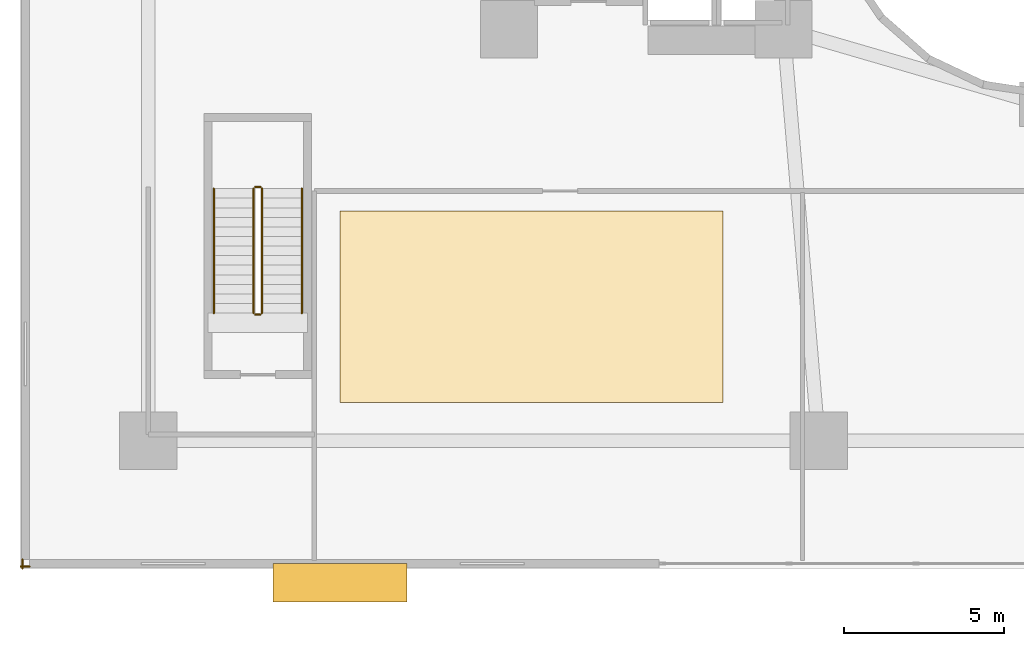
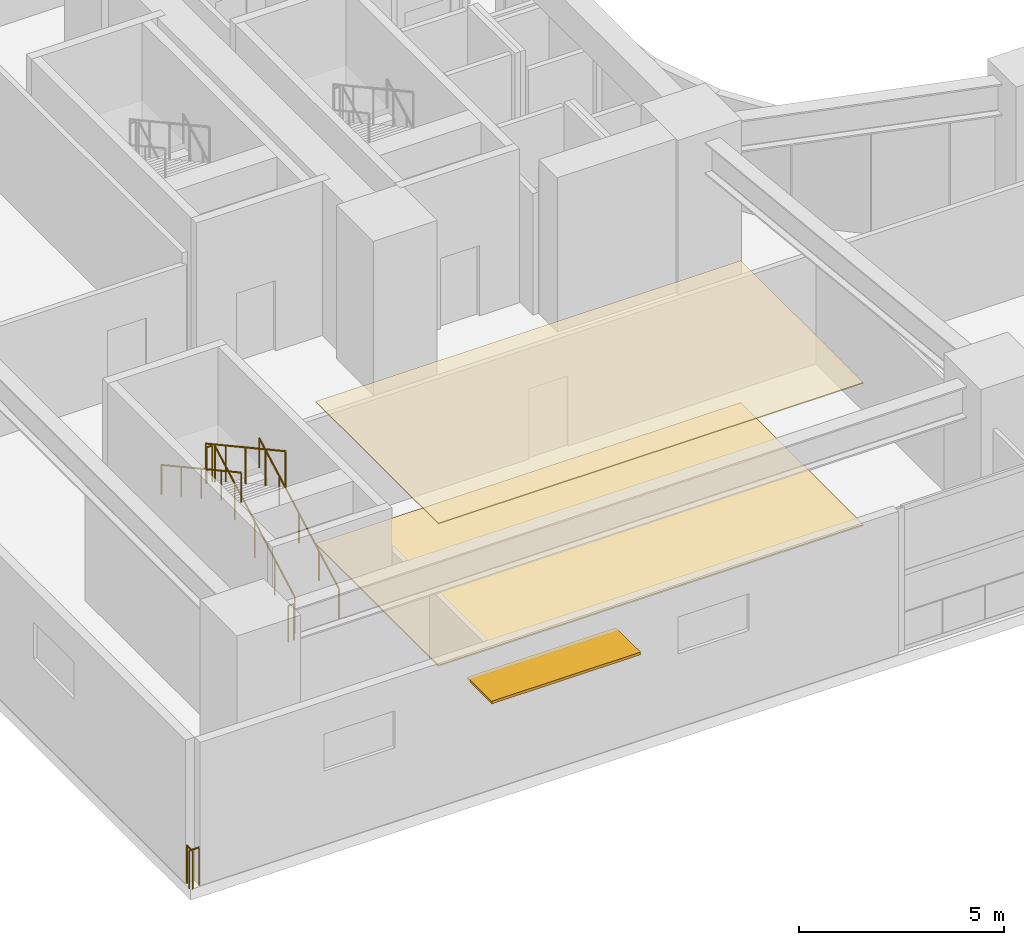
# One storey, part 15 of 20: 8 railings, 2 coverings, 1 shading device.
"""IFC4 building model written with IfcOpenShell, lengths in metres."""

from ifc_helpers import new_model, si_unit, direction, frame, origin, origin_2d, place, context, subcontext, project, spatial, polyline, rectangle, circle, outline, extrude, material, layer, layer_set, type_object, element, save


model = new_model("IFC4")

# Units and contexts
model_context = context("Model", 3, precision=1e-05, world=origin(), true_north=direction((0.0, 1.0)))
body_context = subcontext(model_context, "Body", "Model", "MODEL_VIEW")
ifc_project = project(units=[si_unit("LENGTHUNIT", "METRE"), si_unit("AREAUNIT", "SQUARE_METRE"), si_unit("VOLUMEUNIT", "CUBIC_METRE"), si_unit("PLANEANGLEUNIT", "RADIAN"), si_unit("MASSUNIT", "GRAM", prefix="KILO")], contexts=[model_context])

# Site, building, storey
site_placement = place(None, origin())
site = spatial("IfcSite", under=ifc_project, at=site_placement, CompositionType="ELEMENT")
building_placement = place(site_placement, origin())
building = spatial("IfcBuilding", under=site, at=building_placement, Name="Solvane Sanctuary Tower", CompositionType="ELEMENT")
storey_placement = place(building_placement, frame((0.0, 0.0, 9.199951171875)))
storey = spatial("IfcBuildingStorey", under=building, at=storey_placement, Name="L03", CompositionType="ELEMENT", Elevation=9.199951171875)

# Coverings
ifc_material_1 = material(Name="Acoustic Gypsum Partition Board")
ifc_layer_1 = layer(ifc_material_1, 0.02490234375, Name="Acoustic Gypsum Partition Board")
ifc_layer_set_1 = layer_set([ifc_layer_1], Name="Acoustic Gypsum Partition Board")
covering_type_1 = type_object("IfcCoveringType", Name="Covering CLG-ACOUST", PredefinedType="CEILING", material=ifc_layer_set_1)
covering_1_placement = place(storey_placement, frame((0.0, 0.0, 4.25)))
element("IfcCovering", 1, at=covering_1_placement, inside=storey, type_object=covering_type_1, Name="L03 Sanctuary Acoustic Ceiling", PredefinedType="CEILING", context=body_context, shape_type="SweptSolid", body=[
    extrude(outline(polyline([(10.0, 5.199951171875), (22.0, 5.199951171875), (22.0, 11.199951171875), (10.0, 11.199951171875), (10.0, 5.199951171875)])), origin(), (0.0, 0.0, 1.0), 0.030029296875),
])
ifc_material_2 = material(Name="Ceramic Tile Finish")
ifc_layer_2 = layer(ifc_material_2, 0.030029296875, Name="Ceramic Tile Finish")
ifc_layer_set_2 = layer_set([ifc_layer_2], Name="Ceramic Tile Finish")
covering_type_2 = type_object("IfcCoveringType", Name="Covering FLR-TERRAZZO", PredefinedType="FLOORING", material=ifc_layer_set_2)
covering_2_placement = place(storey_placement, origin())
element("IfcCovering", 2, at=covering_2_placement, inside=storey, type_object=covering_type_2, Name="L03 Sanctuary Terrazzo Floor", PredefinedType="FLOORING", context=body_context, shape_type="SweptSolid", body=[
    extrude(outline(polyline([(10.0, 5.199951171875), (22.0, 5.199951171875), (22.0, 11.199951171875), (10.0, 11.199951171875), (10.0, 5.199951171875)])), origin(), (0.0, 0.0, 1.0), 0.0400390625),
])

# Railings
ifc_material_3 = material(Name="Architectural Stainless Steel 316", Category="steel")
railing_type_1 = type_object("IfcRailingType", Name="Railing GR-BALC-1150", PredefinedType="BALUSTRADE", material=ifc_material_3)
railing_1_placement = place(storey_placement, frame((0.06005859375, 0.0, 0.0)))
element("IfcRailing", 3, at=railing_1_placement, inside=storey, type_object=railing_type_1, Name="L03 Perimeter Slab Edge Guardrail 01", PredefinedType="BALUSTRADE", context=body_context, shape_type="SweptSolid", body=[
    extrude(circle(Radius=0.02392578125, at=origin_2d()), frame((0.0, 0.0, 1.1259765625), z_axis=(0.0, 1.0, 0.0), x_axis=(-1.0, 0.0, 0.0)), (0.0, 0.0, 1.0), 0.280029296875),
    extrude(circle(Radius=0.02099609375, at=origin_2d()), origin(), (0.0, 0.0, 1.0), 1.101806640625),
    extrude(circle(Radius=0.02099609375, at=origin_2d()), frame((0.0, 0.280029296875, 0.0)), (0.0, 0.0, 1.0), 1.101806640625),
])
railing_2_placement = place(storey_placement, frame((0.280029296875, 0.06005859375, 0.0)))
element("IfcRailing", 4, at=railing_2_placement, inside=storey, type_object=railing_type_1, Name="L03 Perimeter Slab Edge Guardrail 05", PredefinedType="BALUSTRADE", context=body_context, shape_type="SweptSolid", body=[
    extrude(circle(Radius=0.02392578125, at=origin_2d()), frame((0.0, 0.0, 1.1259765625), z_axis=(-1.0, 0.0, 0.0), x_axis=(0.0, -1.0, 0.0)), (0.0, 0.0, 1.0), 0.280029296875),
    extrude(circle(Radius=0.02099609375, at=origin_2d()), origin(), (0.0, 0.0, 1.0), 1.101806640625),
    extrude(circle(Radius=0.02099609375, at=origin_2d()), frame((-0.280029296875, 0.0, 0.0)), (0.0, 0.0, 1.0), 1.101806640625),
])
railing_3_placement = place(storey_placement, frame((7.56005859375, 8.0, 0.164306640625)))
element("IfcRailing", 5, at=railing_3_placement, inside=storey, type_object=railing_type_1, Name="L03 ST-4 stair guard 1", PredefinedType="BALUSTRADE", context=body_context, shape_type="SweptSolid", body=[
    extrude(circle(Radius=0.02392578125, at=origin_2d()), frame((0.0, 0.0, 1.076171875), z_axis=(0.0, 0.877088557246, 0.480328702816), x_axis=(-1.0, 0.0, 0.0)), (0.0, 0.0, 1.0), 4.446533203125),
    extrude(circle(Radius=0.02099609375, at=origin_2d()), origin(), (0.0, 0.0, 1.0), 1.052001953125),
    extrude(circle(Radius=0.02099609375, at=origin_2d()), frame((0.0, 0.97509765625, 0.533935546875)), (0.0, 0.0, 1.0), 1.052001953125),
    extrude(circle(Radius=0.02099609375, at=origin_2d()), frame((0.0, 1.949951171875, 1.06787109375)), (0.0, 0.0, 1.0), 1.052001953125),
    extrude(circle(Radius=0.02099609375, at=origin_2d()), frame((0.0, 2.9248046875, 1.601806640625)), (0.0, 0.0, 1.0), 1.052001953125),
    extrude(circle(Radius=0.02099609375, at=origin_2d()), frame((0.0, 3.89990234375, 2.1357421875)), (0.0, 0.0, 1.0), 1.052001953125),
])
railing_4_placement = place(storey_placement, frame((7.510009765625, 11.949951171875, 2.300048828125)))
element("IfcRailing", 6, at=railing_4_placement, inside=storey, type_object=railing_type_1, Name="L03 ST-4 stair guard 2", PredefinedType="BALUSTRADE", context=body_context, shape_type="SweptSolid", body=[
    extrude(circle(Radius=0.02392578125, at=origin_2d()), frame((0.0, 0.0, 1.076171875), z_axis=(-1.0, 0.0, 0.0), x_axis=(0.0, -1.0, 0.0)), (0.0, 0.0, 1.0), 0.159912109375),
    extrude(circle(Radius=0.02099609375, at=origin_2d()), origin(), (0.0, 0.0, 1.0), 1.052001953125),
    extrude(circle(Radius=0.02099609375, at=origin_2d()), frame((-0.159912109375, 0.0, 0.0)), (0.0, 0.0, 1.0), 1.052001953125),
])
railing_5_placement = place(storey_placement, frame((7.300048828125, 11.89990234375, 2.46435546875)))
element("IfcRailing", 7, at=railing_5_placement, inside=storey, type_object=railing_type_1, Name="L03 ST-4 stair guard 3", PredefinedType="BALUSTRADE", context=body_context, shape_type="SweptSolid", body=[
    extrude(circle(Radius=0.02392578125, at=origin_2d()), frame((0.0, 0.0, 1.076171875), z_axis=(0.0, -0.877088557246, 0.480328702816), x_axis=(1.0, 0.0, 0.0)), (0.0, 0.0, 1.0), 4.446533203125),
    extrude(circle(Radius=0.02099609375, at=origin_2d()), origin(), (0.0, 0.0, 1.0), 1.052001953125),
    extrude(circle(Radius=0.02099609375, at=origin_2d()), frame((0.0, -0.97509765625, 0.533935546875)), (0.0, 0.0, 1.0), 1.052001953125),
    extrude(circle(Radius=0.02099609375, at=origin_2d()), frame((0.0, -1.949951171875, 1.06787109375)), (0.0, 0.0, 1.0), 1.052001953125),
    extrude(circle(Radius=0.02099609375, at=origin_2d()), frame((0.0, -2.9248046875, 1.601806640625)), (0.0, 0.0, 1.0), 1.052001953125),
    extrude(circle(Radius=0.02099609375, at=origin_2d()), frame((0.0, -3.89990234375, 2.1357421875)), (0.0, 0.0, 1.0), 1.052001953125),
])
railing_6_placement = place(storey_placement, frame((7.510009765625, 7.949951171875, 0.0)))
element("IfcRailing", 8, at=railing_6_placement, inside=storey, type_object=railing_type_1, Name="L03 ST-4 stair guard 4", PredefinedType="BALUSTRADE", context=body_context, shape_type="SweptSolid", body=[
    extrude(circle(Radius=0.02392578125, at=origin_2d()), frame((0.0, 0.0, 1.076171875), z_axis=(-1.0, 0.0, 0.0), x_axis=(0.0, -1.0, 0.0)), (0.0, 0.0, 1.0), 0.159912109375),
    extrude(circle(Radius=0.02099609375, at=origin_2d()), origin(), (0.0, 0.0, 1.0), 1.052001953125),
    extrude(circle(Radius=0.02099609375, at=origin_2d()), frame((-0.159912109375, 0.0, 0.0)), (0.0, 0.0, 1.0), 1.052001953125),
])
railing_type_2 = type_object("IfcRailingType", Name="Railing HR-STAIR-920", PredefinedType="HANDRAIL", material=ifc_material_3)
railing_7_placement = place(storey_placement, frame((8.81005859375, 8.0, 0.164306640625)))
element("IfcRailing", 9, at=railing_7_placement, inside=storey, type_object=railing_type_2, Name="L03 ST-4 stair handrail 1", PredefinedType="HANDRAIL", context=body_context, shape_type="SweptSolid", body=[
    extrude(circle(Radius=0.02392578125, at=origin_2d()), frame((0.0, 0.0, 0.8759765625), z_axis=(0.0, 0.877088557246, 0.480328702816), x_axis=(-1.0, 0.0, 0.0)), (0.0, 0.0, 1.0), 4.446533203125),
    extrude(circle(Radius=0.02099609375, at=origin_2d()), origin(), (0.0, 0.0, 1.0), 0.851806640625),
    extrude(circle(Radius=0.02099609375, at=origin_2d()), frame((0.0, 0.97509765625, 0.533935546875)), (0.0, 0.0, 1.0), 0.851806640625),
    extrude(circle(Radius=0.02099609375, at=origin_2d()), frame((0.0, 1.949951171875, 1.06787109375)), (0.0, 0.0, 1.0), 0.851806640625),
    extrude(circle(Radius=0.02099609375, at=origin_2d()), frame((0.0, 2.9248046875, 1.601806640625)), (0.0, 0.0, 1.0), 0.851806640625),
    extrude(circle(Radius=0.02099609375, at=origin_2d()), frame((0.0, 3.89990234375, 2.1357421875)), (0.0, 0.0, 1.0), 0.851806640625),
])
railing_8_placement = place(storey_placement, frame((6.050048828125, 11.89990234375, 2.46435546875)))
element("IfcRailing", 10, at=railing_8_placement, inside=storey, type_object=railing_type_2, Name="L03 ST-4 stair handrail 2", PredefinedType="HANDRAIL", context=body_context, shape_type="SweptSolid", body=[
    extrude(circle(Radius=0.02392578125, at=origin_2d()), frame((0.0, 0.0, 0.8759765625), z_axis=(0.0, -0.877088557246, 0.480328702816), x_axis=(1.0, 0.0, 0.0)), (0.0, 0.0, 1.0), 4.446533203125),
    extrude(circle(Radius=0.02099609375, at=origin_2d()), origin(), (0.0, 0.0, 1.0), 0.851806640625),
    extrude(circle(Radius=0.02099609375, at=origin_2d()), frame((0.0, -0.97509765625, 0.533935546875)), (0.0, 0.0, 1.0), 0.851806640625),
    extrude(circle(Radius=0.02099609375, at=origin_2d()), frame((0.0, -1.949951171875, 1.06787109375)), (0.0, 0.0, 1.0), 0.851806640625),
    extrude(circle(Radius=0.02099609375, at=origin_2d()), frame((0.0, -2.9248046875, 1.601806640625)), (0.0, 0.0, 1.0), 0.851806640625),
    extrude(circle(Radius=0.02099609375, at=origin_2d()), frame((0.0, -3.89990234375, 2.1357421875)), (0.0, 0.0, 1.0), 0.851806640625),
])

# Shading device
ifc_material_4 = material(Name="Anodised Aluminium 6063-T6", Category="aluminium")
ifc_layer_3 = layer(ifc_material_4, 0.080078125, Name="Anodised Aluminium 6063-T6")
ifc_layer_set_3 = layer_set([ifc_layer_3], Name="Anodised Aluminium 6063-T6")
shading_device_type = type_object("IfcShadingDeviceType", Name="Shading SHD-SUNSHADE", PredefinedType="AWNING", material=ifc_layer_set_3)
shading_device_placement = place(storey_placement, frame((10.0, -0.449951171875, 3.409912109375), z_axis=(0.0, 0.0, 1.0), x_axis=(1.0, 0.0, 0.0)))
element("IfcShadingDevice", 11, at=shading_device_placement, inside=storey, type_object=shading_device_type, Name="L03 Tropical Sunshade Canopy S1", PredefinedType="AWNING", context=body_context, shape_type="SweptSolid", body=[
    extrude(rectangle(XDim=4.199951171875, YDim=1.199951171875, at=origin_2d()), origin(), (0.0, 0.0, 1.0), 0.080078125),
])

save(model, "model.ifc")
